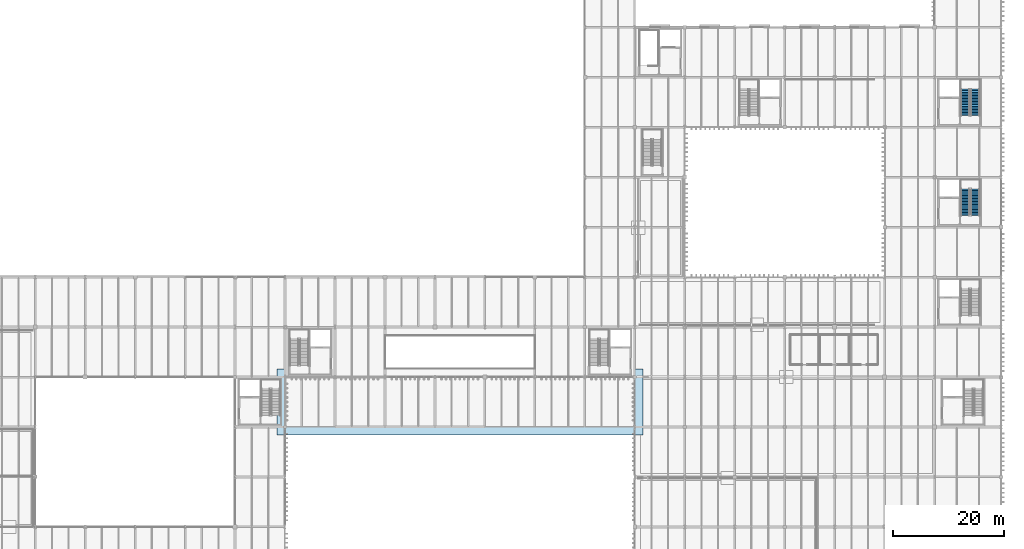
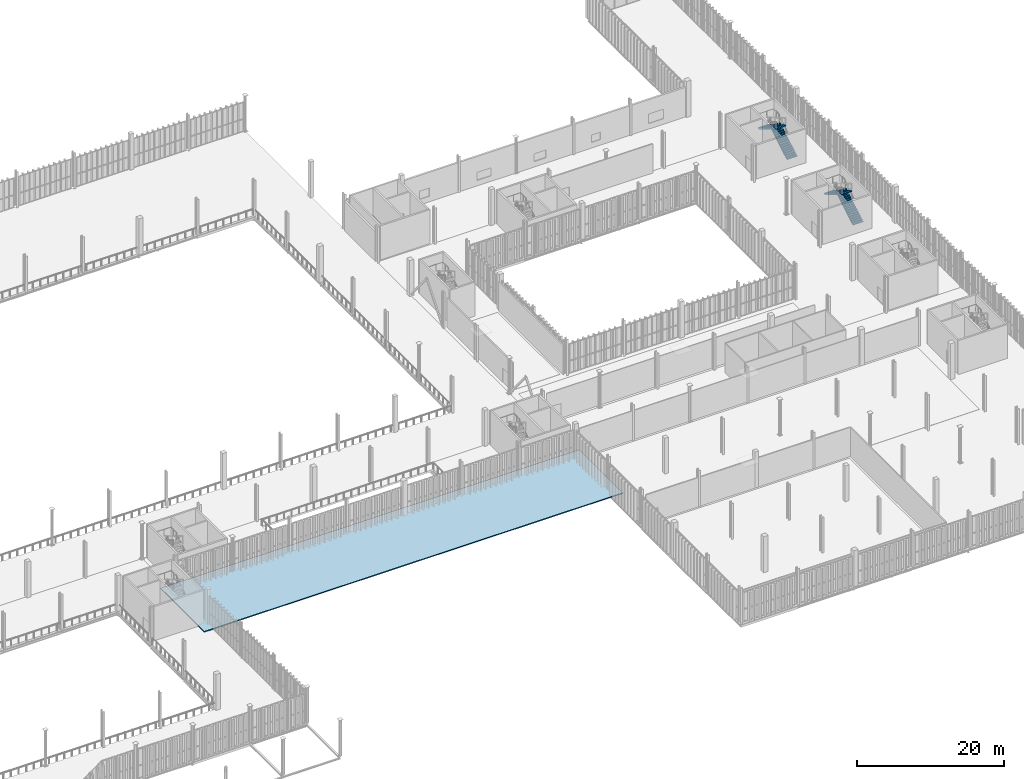
# One storey, part 185 of 211: 4 stair flights, 1 roof, 2 elements without a shape of their own.
"""IFC4 building model written with IfcOpenShell, lengths in metres."""

import ifcopenshell
import ifcopenshell.guid

model = None  # the IFC model being written
_history = None  # IfcOwnerHistory: only IFC2X3 demands one
_inside = {}  # id of a spatial element -> (the spatial element, [elements in it])
_under = {}  # id of a project, library or spatial element -> (it, [spatial elements below it])
_declared = {}  # id of a project -> (the project, [libraries it declares])
_typed = {}  # id of a type object -> (the type object, [elements of that type])
_made_of = {}  # id of a material, layer set ... -> (it, [elements and type objects made of it])


def new_model(schema):
    """Start an empty IFC model of exactly this schema.

    Asked for "IFC4X3", IfcOpenShell would pick the latest addendum, in which some entities
    have other attributes; the version numbers below select the first issue.
    IFC2X3 requires an IfcOwnerHistory on every rooted entity: one is made here for all.
    """
    global model, _history
    if schema == "IFC4X3":
        model = ifcopenshell.file(schema_version=(4, 3, 0, 0))
    else:
        model = ifcopenshell.file(schema=schema)
    _inside.clear()
    _under.clear()
    _declared.clear()
    _typed.clear()
    _made_of.clear()
    _history = None
    if model.schema == "IFC2X3":
        org = make("IfcOrganization", Name="unknown")
        user = make(
            "IfcPersonAndOrganization",
            ThePerson=make("IfcPerson", FamilyName="unknown"),
            TheOrganization=org,
        )
        app = make(
            "IfcApplication",
            ApplicationDeveloper=org,
            Version="unknown",
            ApplicationFullName="unknown",
            ApplicationIdentifier="unknown",
        )
        _history = make(
            "IfcOwnerHistory",
            OwningUser=user,
            OwningApplication=app,
            ChangeAction="ADDED",
            CreationDate=0,
        )
    return model


def make(cls, **values):
    """One entity of the class cls with the attributes given. An attribute that is None is left unset."""
    return model.create_entity(
        cls, **{name: value for name, value in values.items() if value is not None}
    )


def rooted(cls, **values):
    """An entity with a GlobalId (a new one), such as an element, a storey or a relation."""
    return make(cls, GlobalId=ifcopenshell.guid.new(), OwnerHistory=_history, **values)


def si_unit(unit_type, name, prefix=None):
    """IfcSIUnit, for example si_unit("LENGTHUNIT", "METRE", prefix="MILLI")."""
    return make("IfcSIUnit", UnitType=unit_type, Prefix=prefix, Name=name)


def assignment(units):
    """IfcUnitAssignment: the units of a project."""
    return None if units is None else make("IfcUnitAssignment", Units=units)


def point(xyz):
    """IfcCartesianPoint."""
    return None if xyz is None else make("IfcCartesianPoint", Coordinates=xyz)


def direction(xyz):
    """IfcDirection."""
    return None if xyz is None else make("IfcDirection", DirectionRatios=xyz)


def frame(location, z_axis=None, x_axis=None):
    """IfcAxis2Placement3D, a coordinate frame: its origin and axes. An axis left out is left unset."""
    return make(
        "IfcAxis2Placement3D",
        Location=point(location),
        Axis=direction(z_axis),
        RefDirection=direction(x_axis),
    )


def origin():
    """The frame at (0, 0, 0) with its axes left unset."""
    return frame((0.0, 0.0, 0.0))


def place(relative_to, where):
    """IfcLocalPlacement: puts the frame where relative to a parent placement (None: the world)."""
    return make(
        "IfcLocalPlacement", PlacementRelTo=relative_to, RelativePlacement=where
    )


def context(
    kind, dimensions, precision=None, world=None, true_north=None, identifier=None
):
    """IfcGeometricRepresentationContext, for example the 3D "Model" context."""
    return make(
        "IfcGeometricRepresentationContext",
        ContextIdentifier=identifier,
        ContextType=kind,
        CoordinateSpaceDimension=dimensions,
        Precision=precision,
        WorldCoordinateSystem=world,
        TrueNorth=true_north,
    )


def subcontext(parent, identifier, kind, view, scale=None):
    """IfcGeometricRepresentationSubContext, for example "Body" below "Model"."""
    return make(
        "IfcGeometricRepresentationSubContext",
        ContextIdentifier=identifier,
        ContextType=kind,
        ParentContext=parent,
        TargetScale=scale,
        TargetView=view,
    )


def project(units=None, contexts=None):
    """IfcProject with its units and contexts."""
    return rooted(
        "IfcProject",
        Name="project",
        RepresentationContexts=contexts,
        UnitsInContext=assignment(units),
    )


def spatial(cls, under=None, at=None, **own):
    """A site, building, storey or space (cls), placed at a placement, below another one or the project."""
    s = rooted(cls, ObjectPlacement=at, **own)
    if under is not None:
        _under.setdefault(under.id(), (under, []))[1].append(s)
    return s


def polyline(points):
    """IfcPolyline through the points."""
    return make("IfcPolyline", Points=[point(p) for p in points])


def outline(outer, holes=None, kind="AREA"):
    """IfcArbitraryClosedProfileDef: a profile drawn as a closed curve; with holes, ...WithVoids."""
    if holes is None:
        return make("IfcArbitraryClosedProfileDef", ProfileType=kind, OuterCurve=outer)
    return make(
        "IfcArbitraryProfileDefWithVoids",
        ProfileType=kind,
        OuterCurve=outer,
        InnerCurves=holes,
    )


def extrude(swept, where, along, depth):
    """IfcExtrudedAreaSolid: the profile swept, set in the frame where, extruded along a direction by depth."""
    return make(
        "IfcExtrudedAreaSolid",
        SweptArea=swept,
        Position=where,
        ExtrudedDirection=direction(along),
        Depth=depth,
    )


def shape(context_of_items, identifier, shape_type, items):
    """IfcShapeRepresentation: the items that make up one representation, for example the "Body"."""
    return make(
        "IfcShapeRepresentation",
        ContextOfItems=context_of_items,
        RepresentationIdentifier=identifier,
        RepresentationType=shape_type,
        Items=items,
    )


def material(Name=None, Category=None):
    """IfcMaterial."""
    return make("IfcMaterial", Name=Name, Category=Category)


def layer(
    of_material, thickness, ventilated=None, Name=None, Category=None, Priority=None
):
    """IfcMaterialLayer: one layer of a wall or slab, of a material (None: an air gap)."""
    return make(
        "IfcMaterialLayer",
        Material=of_material,
        LayerThickness=thickness,
        IsVentilated=ventilated,
        Name=Name,
        Category=Category,
        Priority=Priority,
    )


def layer_set(layers, Name=None):
    """IfcMaterialLayerSet."""
    return make("IfcMaterialLayerSet", MaterialLayers=layers, LayerSetName=Name)


def made_of(thing, what):
    """Note that an element or type object is made of a material, layer set ...; save() writes the relation."""
    if what is not None:
        _made_of.setdefault(what.id(), (what, []))[1].append(thing)
    return thing


def type_object(cls, material=None, **own):
    """A type object (cls), such as IfcWallType, which elements share."""
    return made_of(rooted(cls, **own), material)


def element(
    cls,
    number,
    at=None,
    inside=None,
    cuts=None,
    type_object=None,
    material=None,
    context=None,
    identifier="Body",
    shape_type=None,
    held_by="IfcProductDefinitionShape",
    body=None,
    shapes=None,
    **own,
):
    """One element of the class cls, such as IfcWall. Its Tag is "e" and its number.

    at: its placement. inside: the storey or other place that contains it. cuts: it is an
    opening in that element (IfcRelVoidsElement). A single representation is given by context,
    identifier, shape_type and body (its items); several are given by shapes. held_by: the class
    of the entity that holds the representations. save() writes the other relations.
    """
    e = rooted(cls, Tag="e%d" % number, ObjectPlacement=at, **own)
    if body is not None:
        shapes = [shape(context, identifier, shape_type, body)]
    if shapes is not None:
        e.Representation = make(held_by, Representations=shapes)
    if inside is not None:
        _inside.setdefault(inside.id(), (inside, []))[1].append(e)
    if cuts is not None:
        rooted(
            "IfcRelVoidsElement", RelatingBuildingElement=cuts, RelatedOpeningElement=e
        )
    if type_object is not None:
        _typed.setdefault(type_object.id(), (type_object, []))[1].append(e)
    return made_of(e, material)


def aggregate(whole, parts):
    """IfcRelAggregates: a whole, such as a stair, and the parts it consists of."""
    return rooted("IfcRelAggregates", RelatingObject=whole, RelatedObjects=parts)


def save(model, path):
    """Write the relations noted so far, then the file.

    IfcRelAggregates (storeys below a building ...), IfcRelContainedInSpatialStructure (elements
    in a storey), IfcRelDefinesByType, IfcRelAssociatesMaterial and IfcRelDeclares: one each for
    every whole, place, type object, material and project.
    """
    for whole, parts in _under.values():
        aggregate(whole, parts)
    for where, things in _inside.values():
        rooted(
            "IfcRelContainedInSpatialStructure",
            RelatedElements=things,
            RelatingStructure=where,
        )
    for kind, things in _typed.values():
        rooted("IfcRelDefinesByType", RelatedObjects=things, RelatingType=kind)
    for what, things in _made_of.values():
        rooted("IfcRelAssociatesMaterial", RelatedObjects=things, RelatingMaterial=what)
    for by, libraries in _declared.values():
        rooted("IfcRelDeclares", RelatingContext=by, RelatedDefinitions=libraries)
    model.write(path)


model = new_model("IFC4")

# Units and contexts
model_context = context("Model", 3, precision=1e-05, world=origin(), true_north=direction((0.0, 1.0)))
body_context = subcontext(model_context, "Body", "Model", "MODEL_VIEW")
ifc_project = project(units=[si_unit("LENGTHUNIT", "METRE"), si_unit("AREAUNIT", "SQUARE_METRE"), si_unit("VOLUMEUNIT", "CUBIC_METRE"), si_unit("PLANEANGLEUNIT", "RADIAN"), si_unit("MASSUNIT", "GRAM", prefix="KILO")], contexts=[model_context])

# Site, building, storey
site_placement = place(None, origin())
site = spatial("IfcSite", under=ifc_project, at=site_placement, CompositionType="ELEMENT")
building_placement = place(site_placement, origin())
building = spatial("IfcBuilding", under=site, at=building_placement, Name="Barlavento Convention Centre", CompositionType="ELEMENT")
storey_placement = place(building_placement, frame((0.0, 0.0, 6.0)))
storey = spatial("IfcBuildingStorey", under=building, at=storey_placement, Name="L01", CompositionType="ELEMENT", Elevation=6.0)

# Stair, stair flights
ifc_material_1 = material(Name="Concrete C40/50", Category="concrete")
stair_type = type_object("IfcStairType", Name="ARC-STR-DOG-1620", PredefinedType="HALF_TURN_STAIR", material=ifc_material_1)
stair_1_placement = place(storey_placement, origin())
stair_1 = element("IfcStair", 1, at=stair_1_placement, inside=storey, type_object=stair_type, Name="L01 ST07", PredefinedType="HALF_TURN_STAIR")
stair_flight_type = type_object("IfcStairFlightType", Name="ARC-FLT-STR-1620", PredefinedType="STRAIGHT", material=ifc_material_1)
stair_flight_1_placement = place(storey_placement, frame((187.340087890625, 74.090087890625, 0.0), z_axis=(0.0, 0.0, 1.0), x_axis=(0.0, 1.0, 0.0)))
stair_flight_1 = element("IfcStairFlight", 2, at=stair_flight_1_placement, type_object=stair_flight_type, Name="ST07 flight 1", NumberOfRisers=18, NumberOfTreads=17, PredefinedType="STRAIGHT", RiserHeight=0.166666667, TreadLength=0.28, context=body_context, shape_type="SweptSolid", body=[
    extrude(outline(polyline([(0.0, 0.0), (0.0, 0.166748046875), (0.280029296875, 0.166748046875), (0.280029296875, 0.333251953125), (0.56005859375, 0.333251953125), (0.56005859375, 0.5), (0.840087890625, 0.5), (0.840087890625, 0.666748046875), (1.1201171875, 0.666748046875), (1.1201171875, 0.833251953125), (1.39990234375, 0.833251953125), (1.39990234375, 1.0), (1.679931640625, 1.0), (1.679931640625, 1.166748046875), (1.9599609375, 1.166748046875), (1.9599609375, 1.333251953125), (2.239990234375, 1.333251953125), (2.239990234375, 1.5), (2.52001953125, 1.5), (2.52001953125, 1.666748046875), (2.800048828125, 1.666748046875), (2.800048828125, 1.833251953125), (3.080078125, 1.833251953125), (3.080078125, 2.0), (3.360107421875, 2.0), (3.360107421875, 2.166748046875), (3.639892578125, 2.166748046875), (3.639892578125, 2.333251953125), (3.919921875, 2.333251953125), (3.919921875, 2.5), (4.199951171875, 2.5), (4.199951171875, 2.666748046875), (4.47998046875, 2.666748046875), (4.47998046875, 2.833251953125), (4.760009765625, 2.833251953125), (4.760009765625, 3.0), (4.760009765625, 2.658935546875), (0.29296875, 0.0), (0.0, 0.0)])), frame((0.0, 0.81005859375, 0.0), z_axis=(0.0, -1.0, 0.0), x_axis=(1.0, 0.0, 0.0)), (0.0, 0.0, 1.0), 1.6201171875),
])
stair_flight_2_placement = place(storey_placement, frame((185.52001953125, 78.85009765625, 3.0), z_axis=(0.0, 0.0, 1.0), x_axis=(0.0, -1.0, 0.0)))
stair_flight_2 = element("IfcStairFlight", 3, at=stair_flight_2_placement, type_object=stair_flight_type, Name="ST07 flight 2", NumberOfRisers=18, NumberOfTreads=17, PredefinedType="STRAIGHT", RiserHeight=0.166666667, TreadLength=0.28, context=body_context, shape_type="SweptSolid", body=[
    extrude(outline(polyline([(0.0, 0.0), (0.0, 0.166748046875), (0.280029296875, 0.166748046875), (0.280029296875, 0.333251953125), (0.56005859375, 0.333251953125), (0.56005859375, 0.5), (0.840087890625, 0.5), (0.840087890625, 0.666748046875), (1.1201171875, 0.666748046875), (1.1201171875, 0.833251953125), (1.39990234375, 0.833251953125), (1.39990234375, 1.0), (1.679931640625, 1.0), (1.679931640625, 1.166748046875), (1.9599609375, 1.166748046875), (1.9599609375, 1.333251953125), (2.239990234375, 1.333251953125), (2.239990234375, 1.5), (2.52001953125, 1.5), (2.52001953125, 1.666748046875), (2.800048828125, 1.666748046875), (2.800048828125, 1.833251953125), (3.080078125, 1.833251953125), (3.080078125, 2.0), (3.360107421875, 2.0), (3.360107421875, 2.166748046875), (3.639892578125, 2.166748046875), (3.639892578125, 2.333251953125), (3.919921875, 2.333251953125), (3.919921875, 2.5), (4.199951171875, 2.5), (4.199951171875, 2.666748046875), (4.47998046875, 2.666748046875), (4.47998046875, 2.833251953125), (4.760009765625, 2.833251953125), (4.760009765625, 3.0), (4.760009765625, 2.658935546875), (0.29296875, 0.0), (0.0, 0.0)])), frame((0.0, 0.81005859375, 0.0), z_axis=(0.0, -1.0, 0.0), x_axis=(1.0, 0.0, 0.0)), (0.0, 0.0, 1.0), 1.6201171875),
])
aggregate(stair_1, [stair_flight_1, stair_flight_2])

stair_2_placement = place(storey_placement, origin())
stair_2 = element("IfcStair", 4, at=stair_2_placement, inside=storey, type_object=stair_type, Name="L01 ST08", PredefinedType="HALF_TURN_STAIR")
stair_flight_3_placement = place(storey_placement, frame((187.340087890625, 92.090087890625, 0.0), z_axis=(0.0, 0.0, 1.0), x_axis=(0.0, 1.0, 0.0)))
stair_flight_3 = element("IfcStairFlight", 5, at=stair_flight_3_placement, type_object=stair_flight_type, Name="ST08 flight 1", NumberOfRisers=18, NumberOfTreads=17, PredefinedType="STRAIGHT", RiserHeight=0.166666667, TreadLength=0.28, context=body_context, shape_type="SweptSolid", body=[
    extrude(outline(polyline([(0.0, 0.0), (0.0, 0.166748046875), (0.280029296875, 0.166748046875), (0.280029296875, 0.333251953125), (0.56005859375, 0.333251953125), (0.56005859375, 0.5), (0.840087890625, 0.5), (0.840087890625, 0.666748046875), (1.1201171875, 0.666748046875), (1.1201171875, 0.833251953125), (1.39990234375, 0.833251953125), (1.39990234375, 1.0), (1.679931640625, 1.0), (1.679931640625, 1.166748046875), (1.9599609375, 1.166748046875), (1.9599609375, 1.333251953125), (2.239990234375, 1.333251953125), (2.239990234375, 1.5), (2.52001953125, 1.5), (2.52001953125, 1.666748046875), (2.800048828125, 1.666748046875), (2.800048828125, 1.833251953125), (3.080078125, 1.833251953125), (3.080078125, 2.0), (3.360107421875, 2.0), (3.360107421875, 2.166748046875), (3.639892578125, 2.166748046875), (3.639892578125, 2.333251953125), (3.919921875, 2.333251953125), (3.919921875, 2.5), (4.199951171875, 2.5), (4.199951171875, 2.666748046875), (4.47998046875, 2.666748046875), (4.47998046875, 2.833251953125), (4.760009765625, 2.833251953125), (4.760009765625, 3.0), (4.760009765625, 2.658935546875), (0.29296875, 0.0), (0.0, 0.0)])), frame((0.0, 0.81005859375, 0.0), z_axis=(0.0, -1.0, 0.0), x_axis=(1.0, 0.0, 0.0)), (0.0, 0.0, 1.0), 1.6201171875),
])
stair_flight_4_placement = place(storey_placement, frame((185.52001953125, 96.85009765625, 3.0), z_axis=(0.0, 0.0, 1.0), x_axis=(0.0, -1.0, 0.0)))
stair_flight_4 = element("IfcStairFlight", 6, at=stair_flight_4_placement, type_object=stair_flight_type, Name="ST08 flight 2", NumberOfRisers=18, NumberOfTreads=17, PredefinedType="STRAIGHT", RiserHeight=0.166666667, TreadLength=0.28, context=body_context, shape_type="SweptSolid", body=[
    extrude(outline(polyline([(0.0, 0.0), (0.0, 0.166748046875), (0.280029296875, 0.166748046875), (0.280029296875, 0.333251953125), (0.56005859375, 0.333251953125), (0.56005859375, 0.5), (0.840087890625, 0.5), (0.840087890625, 0.666748046875), (1.1201171875, 0.666748046875), (1.1201171875, 0.833251953125), (1.39990234375, 0.833251953125), (1.39990234375, 1.0), (1.679931640625, 1.0), (1.679931640625, 1.166748046875), (1.9599609375, 1.166748046875), (1.9599609375, 1.333251953125), (2.239990234375, 1.333251953125), (2.239990234375, 1.5), (2.52001953125, 1.5), (2.52001953125, 1.666748046875), (2.800048828125, 1.666748046875), (2.800048828125, 1.833251953125), (3.080078125, 1.833251953125), (3.080078125, 2.0), (3.360107421875, 2.0), (3.360107421875, 2.166748046875), (3.639892578125, 2.166748046875), (3.639892578125, 2.333251953125), (3.919921875, 2.333251953125), (3.919921875, 2.5), (4.199951171875, 2.5), (4.199951171875, 2.666748046875), (4.47998046875, 2.666748046875), (4.47998046875, 2.833251953125), (4.760009765625, 2.833251953125), (4.760009765625, 3.0), (4.760009765625, 2.658935546875), (0.29296875, 0.0), (0.0, 0.0)])), frame((0.0, 0.81005859375, 0.0), z_axis=(0.0, -1.0, 0.0), x_axis=(1.0, 0.0, 0.0)), (0.0, 0.0, 1.0), 1.6201171875),
])
aggregate(stair_2, [stair_flight_3, stair_flight_4])

# Roof
ifc_material_2 = material(Name="Insulated waterproof flat roof deck", Category="concrete")
ifc_layer = layer(ifc_material_2, 0.050048828125)
ifc_layer_set = layer_set([ifc_layer], Name="ARC-ROOF-FLAT-WING")
roof_type = type_object("IfcRoofType", Name="ARC-ROOF-FLAT-WING", PredefinedType="FLAT_ROOF", material=ifc_layer_set)
roof_placement = place(storey_placement, origin())
element("IfcRoof", 7, at=roof_placement, inside=storey, type_object=roof_type, Name="V6 horizontal roof deck RS-101", PredefinedType="FLAT_ROOF", context=body_context, shape_type="SweptSolid", body=[
    extrude(outline(polyline([(61.550048828125, 34.550048828125), (61.550048828125, 46.449951171875), (127.449951171875, 46.449951171875), (127.449951171875, 34.550048828125), (61.550048828125, 34.550048828125)])), origin(), (0.0, 0.0, 1.0), 0.159912109375),
])

save(model, "model.ifc")
